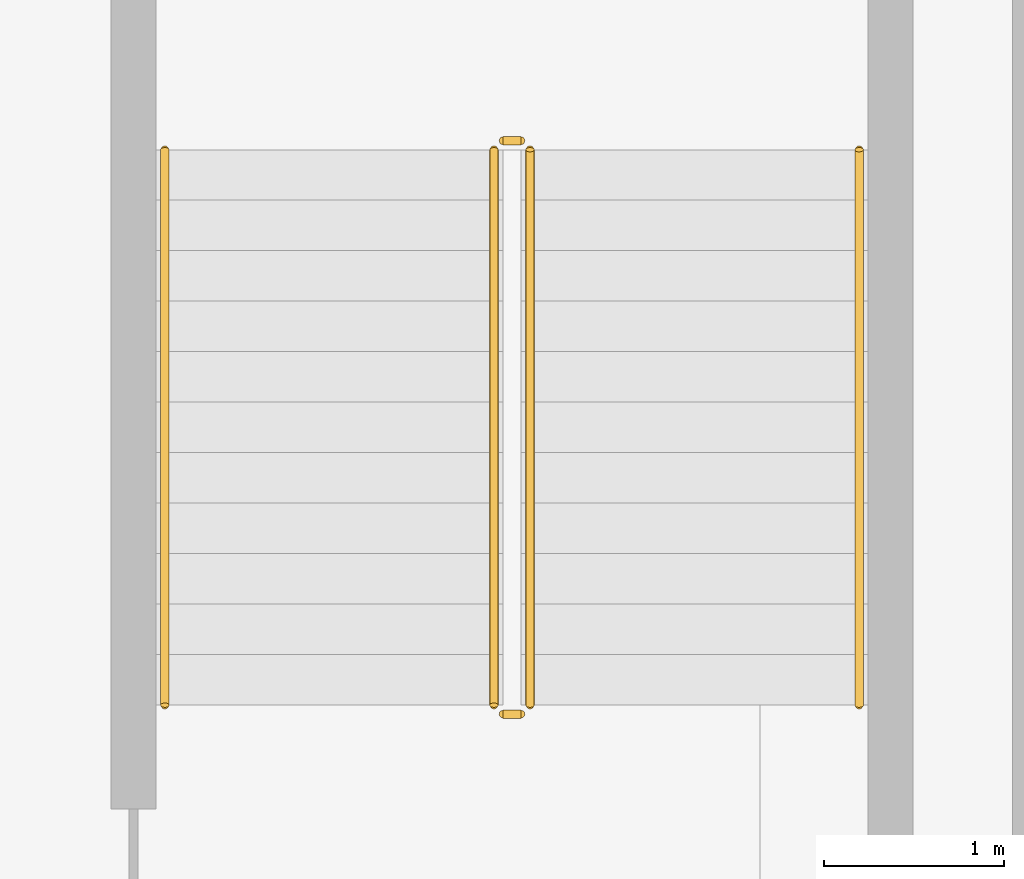
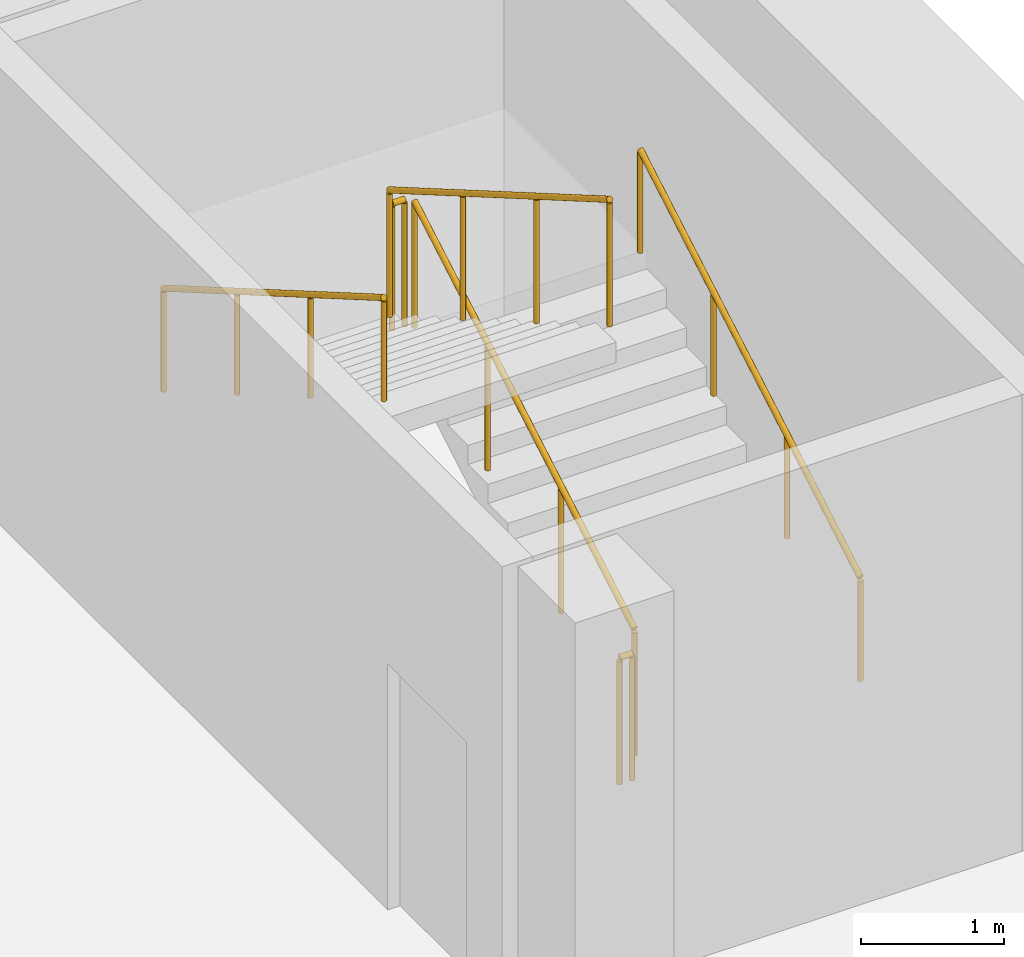
# One storey, part 23 of 27: 6 railings.
"""IFC4 building model written with IfcOpenShell, lengths in metres."""

from ifc_helpers import new_model, si_unit, direction, frame, origin, origin_2d, place, context, subcontext, project, spatial, circle, extrude, material, type_object, element, save


model = new_model("IFC4")

# Units and contexts
model_context = context("Model", 3, precision=1e-05, world=origin(), true_north=direction((0.0, 1.0)))
body_context = subcontext(model_context, "Body", "Model", "MODEL_VIEW")
ifc_project = project(units=[si_unit("LENGTHUNIT", "METRE"), si_unit("AREAUNIT", "SQUARE_METRE"), si_unit("VOLUMEUNIT", "CUBIC_METRE"), si_unit("PLANEANGLEUNIT", "RADIAN"), si_unit("MASSUNIT", "GRAM", prefix="KILO")], contexts=[model_context])

# Site, building, storey
site_placement = place(None, origin())
site = spatial("IfcSite", under=ifc_project, at=site_placement, CompositionType="ELEMENT")
building_placement = place(site_placement, origin())
building = spatial("IfcBuilding", under=site, at=building_placement, Name="Verdalira Terraces Hotel", CompositionType="ELEMENT")
storey_placement = place(building_placement, frame((0.0, 0.0, -11.699951)))
storey = spatial("IfcBuildingStorey", under=building, at=storey_placement, Name="B3", CompositionType="ELEMENT", Elevation=-11.699951171875)

# Railings
ifc_material_1 = material(Name="Stainless steel", Category="steel")
railing_type_1 = type_object("IfcRailingType", Name="Stair guard 1100", PredefinedType="GUARDRAIL", material=ifc_material_1)
railing_1_placement = place(storey_placement, frame((50.324951, -30.975098, 0.162354)))
element("IfcRailing", 1, at=railing_1_placement, inside=storey, type_object=railing_type_1, Name="B3 Basement stair 2 stair guard 1", PredefinedType="GUARDRAIL", context=body_context, shape_type="SweptSolid", body=[
    extrude(circle(Radius=0.023926, at=origin_2d()), frame((0.0, 0.0, 1.076172), z_axis=(0.0, 0.864890721, 0.501960198), x_axis=(-1.0, 0.0, 0.0)), (0.0, 0.0, 1.0), 3.561279),
    extrude(circle(Radius=0.020996, at=origin_2d()), origin(), (0.0, 0.0, 1.0), 1.052002),
    extrude(circle(Radius=0.020996, at=origin_2d()), frame((0.0, 1.026611, 0.595947)), (0.0, 0.0, 1.0), 1.052002),
    extrude(circle(Radius=0.020996, at=origin_2d()), frame((0.0, 2.053467, 1.19165)), (0.0, 0.0, 1.0), 1.052002),
    extrude(circle(Radius=0.020996, at=origin_2d()), frame((0.0, 3.080078, 1.787598)), (0.0, 0.0, 1.0), 1.052002),
])
railing_2_placement = place(storey_placement, frame((50.274902, -27.844971, 1.949951)))
element("IfcRailing", 2, at=railing_2_placement, inside=storey, type_object=railing_type_1, Name="B3 Basement stair 2 stair guard 2", PredefinedType="GUARDRAIL", context=body_context, shape_type="SweptSolid", body=[
    extrude(circle(Radius=0.023926, at=origin_2d()), frame((0.0, 0.0, 1.076172), z_axis=(-1.0, 0.0, 0.0), x_axis=(0.0, -1.0, 0.0)), (0.0, 0.0, 1.0), 0.099854),
    extrude(circle(Radius=0.020996, at=origin_2d()), origin(), (0.0, 0.0, 1.0), 1.052002),
    extrude(circle(Radius=0.020996, at=origin_2d()), frame((-0.099854, 0.0, 0.0)), (0.0, 0.0, 1.0), 1.052002),
])
railing_3_placement = place(storey_placement, frame((50.125, -27.89502, 2.112549)))
element("IfcRailing", 3, at=railing_3_placement, inside=storey, type_object=railing_type_1, Name="B3 Basement stair 2 stair guard 3", PredefinedType="GUARDRAIL", context=body_context, shape_type="SweptSolid", body=[
    extrude(circle(Radius=0.023926, at=origin_2d()), frame((0.0, 0.0, 1.076172), z_axis=(0.0, -0.864920483, 0.501908914), x_axis=(1.0, 0.0, 0.0)), (0.0, 0.0, 1.0), 3.561035),
    extrude(circle(Radius=0.020996, at=origin_2d()), origin(), (0.0, 0.0, 1.0), 1.052002),
    extrude(circle(Radius=0.020996, at=origin_2d()), frame((0.0, -1.026611, 0.595703)), (0.0, 0.0, 1.0), 1.052002),
    extrude(circle(Radius=0.020996, at=origin_2d()), frame((0.0, -2.053467, 1.19165)), (0.0, 0.0, 1.0), 1.052002),
    extrude(circle(Radius=0.020996, at=origin_2d()), frame((0.0, -3.080078, 1.787354)), (0.0, 0.0, 1.0), 1.052002),
])
railing_4_placement = place(storey_placement, frame((50.274902, -31.024902, 0.0)))
element("IfcRailing", 4, at=railing_4_placement, inside=storey, type_object=railing_type_1, Name="B3 Basement stair 2 stair guard 4", PredefinedType="GUARDRAIL", context=body_context, shape_type="SweptSolid", body=[
    extrude(circle(Radius=0.023926, at=origin_2d()), frame((0.0, 0.0, 1.076172), z_axis=(-1.0, 0.0, 0.0), x_axis=(0.0, -1.0, 0.0)), (0.0, 0.0, 1.0), 0.099854),
    extrude(circle(Radius=0.020996, at=origin_2d()), origin(), (0.0, 0.0, 1.0), 1.052002),
    extrude(circle(Radius=0.020996, at=origin_2d()), frame((-0.099854, 0.0, 0.0)), (0.0, 0.0, 1.0), 1.052002),
])
ifc_material_2 = material(Name="Stainless steel", Category="steel")
railing_type_2 = type_object("IfcRailingType", Name="Stair handrail 900", PredefinedType="HANDRAIL", material=ifc_material_2)
railing_5_placement = place(storey_placement, frame((52.149902, -30.975098, 0.162354)))
element("IfcRailing", 5, at=railing_5_placement, inside=storey, type_object=railing_type_2, Name="B3 Basement stair 2 stair handrail 1", PredefinedType="HANDRAIL", context=body_context, shape_type="SweptSolid", body=[
    extrude(circle(Radius=0.023926, at=origin_2d()), frame((0.0, 0.0, 0.875977), z_axis=(0.0, 0.864890721, 0.501960198), x_axis=(-1.0, 0.0, 0.0)), (0.0, 0.0, 1.0), 3.561279),
    extrude(circle(Radius=0.020996, at=origin_2d()), origin(), (0.0, 0.0, 1.0), 0.851807),
    extrude(circle(Radius=0.020996, at=origin_2d()), frame((0.0, 1.026611, 0.595947)), (0.0, 0.0, 1.0), 0.851807),
    extrude(circle(Radius=0.020996, at=origin_2d()), frame((0.0, 2.053467, 1.19165)), (0.0, 0.0, 1.0), 0.851807),
    extrude(circle(Radius=0.020996, at=origin_2d()), frame((0.0, 3.080078, 1.787598)), (0.0, 0.0, 1.0), 0.851807),
])
railing_6_placement = place(storey_placement, frame((48.300049, -27.89502, 2.112549)))
element("IfcRailing", 6, at=railing_6_placement, inside=storey, type_object=railing_type_2, Name="B3 Basement stair 2 stair handrail 2", PredefinedType="HANDRAIL", context=body_context, shape_type="SweptSolid", body=[
    extrude(circle(Radius=0.023926, at=origin_2d()), frame((0.0, 0.0, 0.875977), z_axis=(0.0, -0.864920483, 0.501908914), x_axis=(1.0, 0.0, 0.0)), (0.0, 0.0, 1.0), 3.561035),
    extrude(circle(Radius=0.020996, at=origin_2d()), origin(), (0.0, 0.0, 1.0), 0.851807),
    extrude(circle(Radius=0.020996, at=origin_2d()), frame((0.0, -1.026611, 0.595703)), (0.0, 0.0, 1.0), 0.851807),
    extrude(circle(Radius=0.020996, at=origin_2d()), frame((0.0, -2.053467, 1.19165)), (0.0, 0.0, 1.0), 0.851807),
    extrude(circle(Radius=0.020996, at=origin_2d()), frame((0.0, -3.080078, 1.787354)), (0.0, 0.0, 1.0), 0.851807),
])

save(model, "model.ifc")
